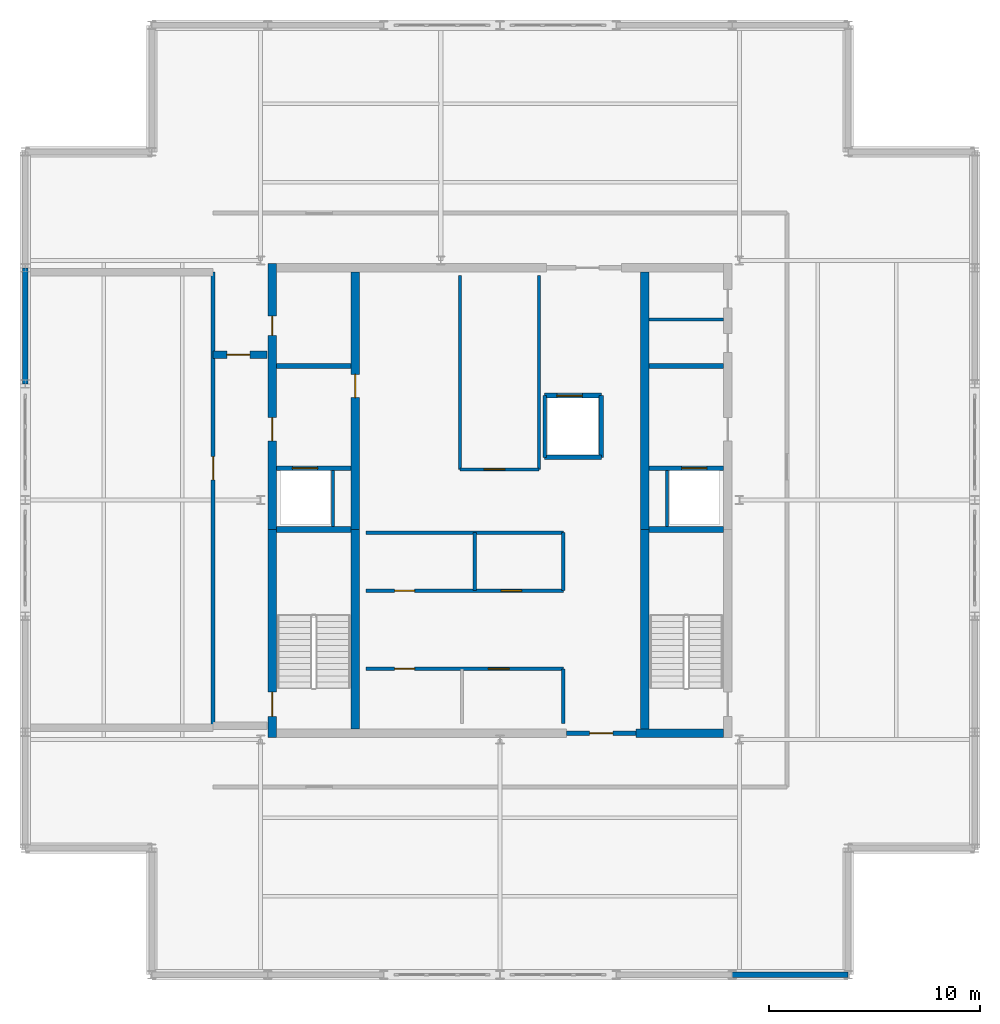
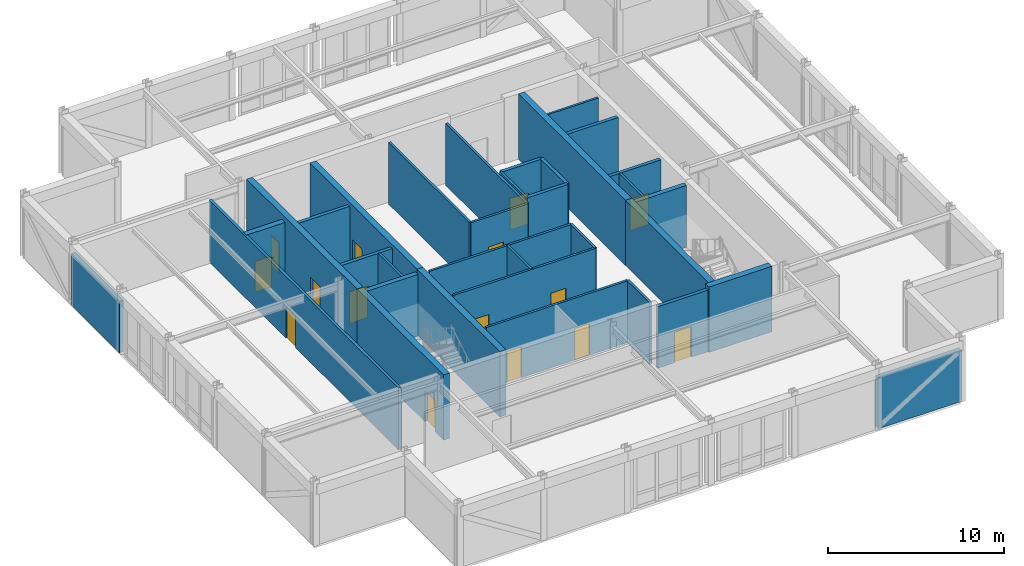
# One storey, part 7 of 9: 34 walls, 15 doors, 15 openings.
"""IFC4 building model written with IfcOpenShell, lengths in metres."""

import ifcopenshell
import ifcopenshell.guid

model = None  # the IFC model being written
_history = None  # IfcOwnerHistory: only IFC2X3 demands one
_inside = {}  # id of a spatial element -> (the spatial element, [elements in it])
_under = {}  # id of a project, library or spatial element -> (it, [spatial elements below it])
_declared = {}  # id of a project -> (the project, [libraries it declares])
_typed = {}  # id of a type object -> (the type object, [elements of that type])
_made_of = {}  # id of a material, layer set ... -> (it, [elements and type objects made of it])


def new_model(schema):
    """Start an empty IFC model of exactly this schema.

    Asked for "IFC4X3", IfcOpenShell would pick the latest addendum, in which some entities
    have other attributes; the version numbers below select the first issue.
    IFC2X3 requires an IfcOwnerHistory on every rooted entity: one is made here for all.
    """
    global model, _history
    if schema == "IFC4X3":
        model = ifcopenshell.file(schema_version=(4, 3, 0, 0))
    else:
        model = ifcopenshell.file(schema=schema)
    _inside.clear()
    _under.clear()
    _declared.clear()
    _typed.clear()
    _made_of.clear()
    _history = None
    if model.schema == "IFC2X3":
        org = make("IfcOrganization", Name="unknown")
        user = make(
            "IfcPersonAndOrganization",
            ThePerson=make("IfcPerson", FamilyName="unknown"),
            TheOrganization=org,
        )
        app = make(
            "IfcApplication",
            ApplicationDeveloper=org,
            Version="unknown",
            ApplicationFullName="unknown",
            ApplicationIdentifier="unknown",
        )
        _history = make(
            "IfcOwnerHistory",
            OwningUser=user,
            OwningApplication=app,
            ChangeAction="ADDED",
            CreationDate=0,
        )
    return model


def make(cls, **values):
    """One entity of the class cls with the attributes given. An attribute that is None is left unset."""
    return model.create_entity(
        cls, **{name: value for name, value in values.items() if value is not None}
    )


def rooted(cls, **values):
    """An entity with a GlobalId (a new one), such as an element, a storey or a relation."""
    return make(cls, GlobalId=ifcopenshell.guid.new(), OwnerHistory=_history, **values)


def si_unit(unit_type, name, prefix=None):
    """IfcSIUnit, for example si_unit("LENGTHUNIT", "METRE", prefix="MILLI")."""
    return make("IfcSIUnit", UnitType=unit_type, Prefix=prefix, Name=name)


def assignment(units):
    """IfcUnitAssignment: the units of a project."""
    return None if units is None else make("IfcUnitAssignment", Units=units)


def point(xyz):
    """IfcCartesianPoint."""
    return None if xyz is None else make("IfcCartesianPoint", Coordinates=xyz)


def direction(xyz):
    """IfcDirection."""
    return None if xyz is None else make("IfcDirection", DirectionRatios=xyz)


def frame(location, z_axis=None, x_axis=None):
    """IfcAxis2Placement3D, a coordinate frame: its origin and axes. An axis left out is left unset."""
    return make(
        "IfcAxis2Placement3D",
        Location=point(location),
        Axis=direction(z_axis),
        RefDirection=direction(x_axis),
    )


def frame_2d(location, x_axis=None):
    """IfcAxis2Placement2D, a coordinate frame in the plane: its origin and x axis."""
    return make(
        "IfcAxis2Placement2D", Location=point(location), RefDirection=direction(x_axis)
    )


def origin():
    """The frame at (0, 0, 0) with its axes left unset."""
    return frame((0.0, 0.0, 0.0))


def place(relative_to, where):
    """IfcLocalPlacement: puts the frame where relative to a parent placement (None: the world)."""
    return make(
        "IfcLocalPlacement", PlacementRelTo=relative_to, RelativePlacement=where
    )


def context(
    kind, dimensions, precision=None, world=None, true_north=None, identifier=None
):
    """IfcGeometricRepresentationContext, for example the 3D "Model" context."""
    return make(
        "IfcGeometricRepresentationContext",
        ContextIdentifier=identifier,
        ContextType=kind,
        CoordinateSpaceDimension=dimensions,
        Precision=precision,
        WorldCoordinateSystem=world,
        TrueNorth=true_north,
    )


def subcontext(parent, identifier, kind, view, scale=None):
    """IfcGeometricRepresentationSubContext, for example "Body" below "Model"."""
    return make(
        "IfcGeometricRepresentationSubContext",
        ContextIdentifier=identifier,
        ContextType=kind,
        ParentContext=parent,
        TargetScale=scale,
        TargetView=view,
    )


def project(units=None, contexts=None):
    """IfcProject with its units and contexts."""
    return rooted(
        "IfcProject",
        Name="project",
        RepresentationContexts=contexts,
        UnitsInContext=assignment(units),
    )


def spatial(cls, under=None, at=None, **own):
    """A site, building, storey or space (cls), placed at a placement, below another one or the project."""
    s = rooted(cls, ObjectPlacement=at, **own)
    if under is not None:
        _under.setdefault(under.id(), (under, []))[1].append(s)
    return s


def profile(cls, at=None, kind="AREA", **sizes):
    """A parametric profile (cls). Its sizes go by their IFC names, for example OverallWidth=200.0."""
    return make(cls, ProfileType=kind, Position=at, **sizes)


def rectangle(**sizes):
    """IfcRectangleProfileDef."""
    return profile("IfcRectangleProfileDef", **sizes)


def extrude(swept, where, along, depth):
    """IfcExtrudedAreaSolid: the profile swept, set in the frame where, extruded along a direction by depth."""
    return make(
        "IfcExtrudedAreaSolid",
        SweptArea=swept,
        Position=where,
        ExtrudedDirection=direction(along),
        Depth=depth,
    )


def shape(context_of_items, identifier, shape_type, items):
    """IfcShapeRepresentation: the items that make up one representation, for example the "Body"."""
    return make(
        "IfcShapeRepresentation",
        ContextOfItems=context_of_items,
        RepresentationIdentifier=identifier,
        RepresentationType=shape_type,
        Items=items,
    )


def material(Name=None, Category=None):
    """IfcMaterial."""
    return make("IfcMaterial", Name=Name, Category=Category)


def layer(
    of_material, thickness, ventilated=None, Name=None, Category=None, Priority=None
):
    """IfcMaterialLayer: one layer of a wall or slab, of a material (None: an air gap)."""
    return make(
        "IfcMaterialLayer",
        Material=of_material,
        LayerThickness=thickness,
        IsVentilated=ventilated,
        Name=Name,
        Category=Category,
        Priority=Priority,
    )


def layer_set(layers, Name=None):
    """IfcMaterialLayerSet."""
    return make("IfcMaterialLayerSet", MaterialLayers=layers, LayerSetName=Name)


def made_of(thing, what):
    """Note that an element or type object is made of a material, layer set ...; save() writes the relation."""
    if what is not None:
        _made_of.setdefault(what.id(), (what, []))[1].append(thing)
    return thing


def type_object(cls, material=None, **own):
    """A type object (cls), such as IfcWallType, which elements share."""
    return made_of(rooted(cls, **own), material)


def element(
    cls,
    number,
    at=None,
    inside=None,
    cuts=None,
    type_object=None,
    material=None,
    context=None,
    identifier="Body",
    shape_type=None,
    held_by="IfcProductDefinitionShape",
    body=None,
    shapes=None,
    **own,
):
    """One element of the class cls, such as IfcWall. Its Tag is "e" and its number.

    at: its placement. inside: the storey or other place that contains it. cuts: it is an
    opening in that element (IfcRelVoidsElement). A single representation is given by context,
    identifier, shape_type and body (its items); several are given by shapes. held_by: the class
    of the entity that holds the representations. save() writes the other relations.
    """
    e = rooted(cls, Tag="e%d" % number, ObjectPlacement=at, **own)
    if body is not None:
        shapes = [shape(context, identifier, shape_type, body)]
    if shapes is not None:
        e.Representation = make(held_by, Representations=shapes)
    if inside is not None:
        _inside.setdefault(inside.id(), (inside, []))[1].append(e)
    if cuts is not None:
        rooted(
            "IfcRelVoidsElement", RelatingBuildingElement=cuts, RelatedOpeningElement=e
        )
    if type_object is not None:
        _typed.setdefault(type_object.id(), (type_object, []))[1].append(e)
    return made_of(e, material)


def fill(opening, filler):
    """IfcRelFillsElement: the door or window that sits in an opening."""
    return rooted(
        "IfcRelFillsElement",
        RelatingOpeningElement=opening,
        RelatedBuildingElement=filler,
    )


def aggregate(whole, parts):
    """IfcRelAggregates: a whole, such as a stair, and the parts it consists of."""
    return rooted("IfcRelAggregates", RelatingObject=whole, RelatedObjects=parts)


def save(model, path):
    """Write the relations noted so far, then the file.

    IfcRelAggregates (storeys below a building ...), IfcRelContainedInSpatialStructure (elements
    in a storey), IfcRelDefinesByType, IfcRelAssociatesMaterial and IfcRelDeclares: one each for
    every whole, place, type object, material and project.
    """
    for whole, parts in _under.values():
        aggregate(whole, parts)
    for where, things in _inside.values():
        rooted(
            "IfcRelContainedInSpatialStructure",
            RelatedElements=things,
            RelatingStructure=where,
        )
    for kind, things in _typed.values():
        rooted("IfcRelDefinesByType", RelatedObjects=things, RelatingType=kind)
    for what, things in _made_of.values():
        rooted("IfcRelAssociatesMaterial", RelatedObjects=things, RelatingMaterial=what)
    for by, libraries in _declared.values():
        rooted("IfcRelDeclares", RelatingContext=by, RelatedDefinitions=libraries)
    model.write(path)


model = new_model("IFC4")

# Units and contexts
model_context = context("Model", 3, precision=1e-05, world=origin(), true_north=direction((0.0, 1.0)))
body_context = subcontext(model_context, "Body", "Model", "MODEL_VIEW")
ifc_project = project(units=[si_unit("LENGTHUNIT", "METRE"), si_unit("AREAUNIT", "SQUARE_METRE"), si_unit("VOLUMEUNIT", "CUBIC_METRE"), si_unit("PLANEANGLEUNIT", "RADIAN"), si_unit("MASSUNIT", "GRAM", prefix="KILO")], contexts=[model_context])

# Site, building, storey
site_placement = place(None, origin())
site = spatial("IfcSite", under=ifc_project, at=site_placement, CompositionType="ELEMENT")
building_placement = place(site_placement, origin())
building = spatial("IfcBuilding", under=site, at=building_placement, Name="Nhamokura Convention Tower", CompositionType="ELEMENT")
storey_placement = place(building_placement, frame((0.0, 0.0, 322.35009765625)))
storey = spatial("IfcBuildingStorey", under=building, at=storey_placement, Name="L79", CompositionType="ELEMENT", Elevation=322.35009765625)

# Walls
ifc_material_1 = material(Name="Moisture-resistant tile-backer partition", Category="masonry")
ifc_layer_1 = layer(ifc_material_1, 0.139892578125)
ifc_layer_set_1 = layer_set([ifc_layer_1], Name="BathroomWetWall_140")
wall_type_1 = type_object("IfcWallType", Name="BathroomWetWall_140", PredefinedType="STANDARD", material=ifc_layer_set_1)
wall_1_placement = place(storey_placement, frame((39.06005859375, 40.550048828125, 0.0), z_axis=(0.0, 0.0, 1.0), x_axis=(1.0, 0.0, 0.0)))
element("IfcWall", 1, at=wall_1_placement, inside=storey, type_object=wall_type_1, Name="L79 Wall INT-L79-CWNE", PredefinedType="STANDARD", context=body_context, shape_type="SweptSolid", body=[
    extrude(rectangle(XDim=3.530029296875, YDim=0.139892578125, at=frame_2d((1.76513671875, 0.0))), origin(), (0.0, 0.0, 1.0), 4.289794921875),
])
ifc_material_2 = material(Name="Bronze-pigmented precast concrete C45/55", Category="concrete")
ifc_layer_2 = layer(ifc_material_2, 0.280029296875)
ifc_layer_set_2 = layer_set([ifc_layer_2], Name="BronzePrecastSpandrel_280")
wall_type_2 = type_object("IfcWallType", Name="BronzePrecastSpandrel_280", PredefinedType="USERDEFINED", material=ifc_layer_set_2)
for number, where, z_axis, x_axis, name in (
    (2, (48.5, 9.5, 0.0), (0.0, 0.0, 1.0), (-1.0, 0.0, 0.0), "L79 Crown Wall SOUTH 5"),
    (3, (9.5, 37.5, 0.0), (0.0, 0.0, 1.0), (0.0, 1.0, 0.0), "L79 Crown Wall WEST 4"),
):
    element("IfcWall", number, at=place(storey_placement, frame(where, z_axis=z_axis, x_axis=x_axis)), inside=storey, type_object=wall_type_2, Name=name, ObjectType="SPANDREL_WALL", PredefinedType="USERDEFINED", context=body_context, shape_type="SweptSolid", body=[
        extrude(rectangle(XDim=5.5, YDim=0.280029296875, at=frame_2d((2.75, 0.0))), origin(), (0.0, 0.0, 1.0), 3.56982421875),
    ])

# Wall, opening, door
ifc_material_3 = material(Name="Concrete C50/60", Category="concrete")
ifc_layer_3 = layer(ifc_material_3, 0.39990234375)
ifc_layer_set_3 = layer_set([ifc_layer_3], Name="CoreShearWall_400")
wall_type_3 = type_object("IfcWallType", Name="CoreShearWall_400", PredefinedType="SHEAR", material=ifc_layer_set_3)
wall_2_placement = place(storey_placement, frame((21.2099609375, 20.75, 0.0), z_axis=(0.0, 0.0, 1.0), x_axis=(0.0, 1.0, 0.0)))
wall_2 = element("IfcWall", 4, at=wall_2_placement, inside=storey, type_object=wall_type_3, Name="L79 Core Shear Wall CW-WS", PredefinedType="SHEAR", context=body_context, shape_type="SweptSolid", body=[
    extrude(rectangle(XDim=9.85009765625, YDim=0.39990234375, at=frame_2d((4.925048828125, 0.0))), origin(), (0.0, 0.0, 1.0), 4.5498046875),
])
opening_1_placement = place(wall_2_placement, frame((1.0, 0.0, 0.0)))
opening_1 = element("IfcOpeningElement", 5, at=opening_1_placement, cuts=wall_2, Name="Opening D-04", PredefinedType="OPENING", context=body_context, shape_type="SweptSolid", body=[
    extrude(rectangle(XDim=1.14990234375, YDim=2.14990234375, at=frame_2d((0.574951171875, 1.074951171875))), frame((0.0, 0.2099609375, 0.0), z_axis=(0.0, -1.0, 0.0), x_axis=(1.0, 0.0, 0.0)), (0.0, 0.0, 1.0), 0.419921875),
])
ifc_material_4 = material(Name="Fire-rated steel door", Category="steel")
door_type_1 = type_object("IfcDoorType", Name="StairSmokeDoor_1150", OperationType="NOTDEFINED", PredefinedType="DOOR", material=ifc_material_4)
door_1_placement = place(opening_1_placement, origin())
door_1 = element("IfcDoor", 6, at=door_1_placement, inside=storey, type_object=door_type_1, Name="L79 Core Door INT-L79-D-ST01", OperationType="SINGLE_SWING_LEFT", OverallHeight=2.14990234375, OverallWidth=1.14990234375, PredefinedType="DOOR", context=body_context, shape_type="SweptSolid", body=[
    extrude(rectangle(XDim=1.14990234375, YDim=2.14990234375, at=frame_2d((0.574951171875, 1.074951171875))), frame((0.0, 0.02490234375, 0.0), z_axis=(0.0, -1.0, 0.0), x_axis=(1.0, 0.0, 0.0)), (0.0, 0.0, 1.0), 0.050048828125),
])
fill(opening_1, door_1)

# Wall, openings, doors
wall_3_placement = place(storey_placement, frame((21.2099609375, 30.60009765625, 0.0), z_axis=(0.0, 0.0, 1.0), x_axis=(0.0, 1.0, 0.0)))
wall_3 = element("IfcWall", 7, at=wall_3_placement, inside=storey, type_object=wall_type_3, Name="L79 Core Shear Wall CW-WN", PredefinedType="SHEAR", context=body_context, shape_type="SweptSolid", body=[
    extrude(rectangle(XDim=12.599853515625, YDim=0.39990234375, at=frame_2d((6.2998046875, 0.0))), origin(), (0.0, 0.0, 1.0), 4.5498046875),
])
opening_2_placement = place(wall_3_placement, frame((4.199951171875, 0.0, 0.0)))
opening_2 = element("IfcOpeningElement", 8, at=opening_2_placement, cuts=wall_3, Name="Opening D-05", PredefinedType="OPENING", context=body_context, shape_type="SweptSolid", body=[
    extrude(rectangle(XDim=1.10009765625, YDim=2.14990234375, at=frame_2d((0.550048828125, 1.074951171875))), frame((0.0, 0.2099609375, 0.0), z_axis=(0.0, -1.0, 0.0), x_axis=(1.0, 0.0, 0.0)), (0.0, 0.0, 1.0), 0.419921875),
])
opening_3_placement = place(wall_3_placement, frame((9.199951171875, 0.0, 0.0)))
opening_3 = element("IfcOpeningElement", 9, at=opening_3_placement, cuts=wall_3, Name="Opening D-10", PredefinedType="OPENING", context=body_context, shape_type="SweptSolid", body=[
    extrude(rectangle(XDim=0.919921875, YDim=2.10009765625, at=frame_2d((0.4599609375, 1.050048828125))), frame((0.0, 0.2099609375, 0.0), z_axis=(0.0, -1.0, 0.0), x_axis=(1.0, 0.0, 0.0)), (0.0, 0.0, 1.0), 0.419921875),
])
ifc_material_5 = material(Name="Solid oak hardwood", Category="wood")
door_type_2 = type_object("IfcDoorType", Name="AccessibleWCDoor_920", OperationType="NOTDEFINED", PredefinedType="DOOR", material=ifc_material_5)
door_2_placement = place(opening_3_placement, origin())
door_2 = element("IfcDoor", 10, at=door_2_placement, inside=storey, type_object=door_type_2, Name="L79 Core Door INT-L79-D-AWC", OperationType="SINGLE_SWING_LEFT", OverallHeight=2.10009765625, OverallWidth=0.919921875, PredefinedType="DOOR", context=body_context, shape_type="SweptSolid", body=[
    extrude(rectangle(XDim=0.919921875, YDim=2.10009765625, at=frame_2d((0.4599609375, 1.050048828125))), frame((0.0, 0.02490234375, 0.0), z_axis=(0.0, -1.0, 0.0), x_axis=(1.0, 0.0, 0.0)), (0.0, 0.0, 1.0), 0.050048828125),
])
fill(opening_3, door_2)
ifc_material_6 = material(Name="Fire-rated steel door", Category="steel")
door_type_3 = type_object("IfcDoorType", Name="FireLobbyDoor_1100", OperationType="NOTDEFINED", PredefinedType="DOOR", material=ifc_material_6)
door_3_placement = place(opening_2_placement, origin())
door_3 = element("IfcDoor", 11, at=door_3_placement, inside=storey, type_object=door_type_3, Name="L79 Core Door INT-L79-D-FFLW", OperationType="SINGLE_SWING_RIGHT", OverallHeight=2.14990234375, OverallWidth=1.10009765625, PredefinedType="DOOR", context=body_context, shape_type="SweptSolid", body=[
    extrude(rectangle(XDim=1.10009765625, YDim=2.14990234375, at=frame_2d((0.550048828125, 1.074951171875))), frame((0.0, 0.02490234375, 0.0), z_axis=(0.0, -1.0, 0.0), x_axis=(1.0, 0.0, 0.0)), (0.0, 0.0, 1.0), 0.050048828125),
])
fill(opening_2, door_3)

# Walls
wall_4_placement = place(storey_placement, frame((38.449951171875, 20.949951171875, 0.0), z_axis=(0.0, 0.0, 1.0), x_axis=(1.0, 0.0, 0.0)))
element("IfcWall", 12, at=wall_4_placement, inside=storey, type_object=wall_type_3, Name="L79 Core Shear Wall CW-S2", PredefinedType="SHEAR", context=body_context, shape_type="SweptSolid", body=[
    extrude(rectangle(XDim=4.14013671875, YDim=0.39990234375, at=frame_2d((2.070068359375, 0.0))), origin(), (0.0, 0.0, 1.0), 4.5498046875),
])
wall_5_placement = place(storey_placement, frame((25.139892578125, 21.14990234375, 0.0), z_axis=(0.0, 0.0, 1.0), x_axis=(0.0, 1.0, 0.0)))
element("IfcWall", 13, at=wall_5_placement, inside=storey, type_object=wall_type_3, Name="L79 Core Shear Wall CW-IWS", PredefinedType="SHEAR", context=body_context, shape_type="SweptSolid", body=[
    extrude(rectangle(XDim=9.4501953125, YDim=0.39990234375, at=frame_2d((4.72509765625, 0.0))), origin(), (0.0, 0.0, 1.0), 4.5498046875),
])

# Wall, opening, door
wall_6_placement = place(storey_placement, frame((25.139892578125, 30.60009765625, 0.0), z_axis=(0.0, 0.0, 1.0), x_axis=(0.0, 1.0, 0.0)))
wall_6 = element("IfcWall", 14, at=wall_6_placement, inside=storey, type_object=wall_type_3, Name="L79 Core Shear Wall CW-IWN", PredefinedType="SHEAR", context=body_context, shape_type="SweptSolid", body=[
    extrude(rectangle(XDim=12.199951171875, YDim=0.39990234375, at=frame_2d((6.10009765625, 0.0))), origin(), (0.0, 0.0, 1.0), 4.5498046875),
])
opening_4_placement = place(wall_6_placement, frame((6.25, 0.0, 0.0)))
opening_4 = element("IfcOpeningElement", 15, at=opening_4_placement, cuts=wall_6, Name="Opening D-05", PredefinedType="OPENING", context=body_context, shape_type="SweptSolid", body=[
    extrude(rectangle(XDim=1.10009765625, YDim=2.14990234375, at=frame_2d((0.550048828125, 1.074951171875))), frame((0.0, 0.2099609375, 0.0), z_axis=(0.0, -1.0, 0.0), x_axis=(1.0, 0.0, 0.0)), (0.0, 0.0, 1.0), 0.419921875),
])
door_4_placement = place(opening_4_placement, origin())
door_4 = element("IfcDoor", 16, at=door_4_placement, inside=storey, type_object=door_type_3, Name="L79 Core Door INT-L79-D-B3LOB", OperationType="SINGLE_SWING_LEFT", OverallHeight=2.14990234375, OverallWidth=1.10009765625, PredefinedType="DOOR", context=body_context, shape_type="SweptSolid", body=[
    extrude(rectangle(XDim=1.10009765625, YDim=2.14990234375, at=frame_2d((0.550048828125, 1.074951171875))), frame((0.0, 0.02490234375, 0.0), z_axis=(0.0, -1.0, 0.0), x_axis=(1.0, 0.0, 0.0)), (0.0, 0.0, 1.0), 0.050048828125),
])
fill(opening_4, door_4)

# Walls
wall_7_placement = place(storey_placement, frame((38.860107421875, 21.14990234375, 0.0), z_axis=(0.0, 0.0, 1.0), x_axis=(0.0, 1.0, 0.0)))
element("IfcWall", 17, at=wall_7_placement, inside=storey, type_object=wall_type_3, Name="L79 Core Shear Wall CW-IES", PredefinedType="SHEAR", context=body_context, shape_type="SweptSolid", body=[
    extrude(rectangle(XDim=9.4501953125, YDim=0.39990234375, at=frame_2d((4.72509765625, 0.0))), origin(), (0.0, 0.0, 1.0), 4.5498046875),
])
wall_8_placement = place(storey_placement, frame((38.860107421875, 30.60009765625, 0.0), z_axis=(0.0, 0.0, 1.0), x_axis=(0.0, 1.0, 0.0)))
element("IfcWall", 18, at=wall_8_placement, inside=storey, type_object=wall_type_3, Name="L79 Core Shear Wall CW-IEN", PredefinedType="SHEAR", context=body_context, shape_type="SweptSolid", body=[
    extrude(rectangle(XDim=12.199951171875, YDim=0.39990234375, at=frame_2d((6.10009765625, 0.0))), origin(), (0.0, 0.0, 1.0), 4.5498046875),
])

# Wall, opening, door
ifc_material_7 = material(Name="Fire-rated gypsum and masonry partition", Category="masonry")
ifc_layer_4 = layer(ifc_material_7, 0.179931640625)
ifc_layer_set_4 = layer_set([ifc_layer_4], Name="CorridorRatedWall_180")
wall_type_4 = type_object("IfcWallType", Name="CorridorRatedWall_180", PredefinedType="STANDARD", material=ifc_layer_set_4)
wall_9_placement = place(storey_placement, frame((18.39990234375, 21.199951171875, 0.0), z_axis=(0.0, 0.0, 1.0), x_axis=(0.0, 1.0, 0.0)))
wall_9 = element("IfcWall", 19, at=wall_9_placement, inside=storey, type_object=wall_type_4, Name="L79 Wall INT-L79-CW-W00", PredefinedType="STANDARD", context=body_context, shape_type="SweptSolid", body=[
    extrude(rectangle(XDim=21.60009765625, YDim=0.179931640625, at=frame_2d((10.800048828125, 0.0))), origin(), (0.0, 0.0, 1.0), 4.289794921875),
])
opening_5_placement = place(wall_9_placement, frame((11.75, 0.0, 0.0)))
opening_5 = element("IfcOpeningElement", 20, at=opening_5_placement, cuts=wall_9, Name="Opening D-05", PredefinedType="OPENING", context=body_context, shape_type="SweptSolid", body=[
    extrude(rectangle(XDim=1.10009765625, YDim=2.14990234375, at=frame_2d((0.550048828125, 1.074951171875))), frame((0.0, 0.099853515625, 0.0), z_axis=(0.0, -1.0, 0.0), x_axis=(1.0, 0.0, 0.0)), (0.0, 0.0, 1.0), 0.199951171875),
])
door_5_placement = place(opening_5_placement, origin())
door_5 = element("IfcDoor", 21, at=door_5_placement, inside=storey, type_object=door_type_3, Name="L79 Glycol Heat-Recovery Plant W01 Door", OperationType="SINGLE_SWING_LEFT", OverallHeight=2.14990234375, OverallWidth=1.10009765625, PredefinedType="DOOR", context=body_context, shape_type="SweptSolid", body=[
    extrude(rectangle(XDim=1.10009765625, YDim=2.14990234375, at=frame_2d((0.550048828125, 1.074951171875))), frame((0.0, 0.02490234375, 0.0), z_axis=(0.0, -1.0, 0.0), x_axis=(1.0, 0.0, 0.0)), (0.0, 0.0, 1.0), 0.050048828125),
])
fill(opening_5, door_5)

ifc_material_8 = material(Name="Autoclaved concrete blockwork", Category="masonry")
ifc_layer_5 = layer(ifc_material_8, 0.219970703125)
ifc_layer_set_5 = layer_set([ifc_layer_5], Name="FireLobbyWall_220")
wall_type_5 = type_object("IfcWallType", Name="FireLobbyWall_220", PredefinedType="STANDARD", material=ifc_layer_set_5)
wall_10_placement = place(storey_placement, frame((21.409912109375, 33.5, 0.0), z_axis=(0.0, 0.0, 1.0), x_axis=(1.0, 0.0, 0.0)))
wall_10 = element("IfcWall", 22, at=wall_10_placement, inside=storey, type_object=wall_type_5, Name="L79 Wall INT-L79-FFW-S", PredefinedType="STANDARD", context=body_context, shape_type="SweptSolid", body=[
    extrude(rectangle(XDim=3.530029296875, YDim=0.219970703125, at=frame_2d((1.76513671875, 0.0))), origin(), (0.0, 0.0, 1.0), 4.289794921875),
])
opening_6_placement = place(wall_10_placement, frame((0.75, 0.0, 0.0)))
opening_6 = element("IfcOpeningElement", 23, at=opening_6_placement, cuts=wall_10, Name="Opening LD-02", PredefinedType="OPENING", context=body_context, shape_type="SweptSolid", body=[
    extrude(rectangle(XDim=1.199951171875, YDim=2.199951171875, at=frame_2d((0.60009765625, 1.10009765625))), frame((0.0, 0.119873046875, 0.0), z_axis=(0.0, -1.0, 0.0), x_axis=(1.0, 0.0, 0.0)), (0.0, 0.0, 1.0), 0.239990234375),
])
ifc_material_9 = material(Name="Anodised bronze stainless steel", Category="steel")
door_type_4 = type_object("IfcDoorType", Name="LiftLandingDoor_FireService", OperationType="DOUBLE_DOOR_SLIDING", PredefinedType="DOOR", material=ifc_material_9)
door_6_placement = place(opening_6_placement, origin())
door_6 = element("IfcDoor", 24, at=door_6_placement, inside=storey, type_object=door_type_4, Name="L79 Firefighting Lift LF-01 Door", OperationType="DOUBLE_DOOR_SLIDING", OverallHeight=2.199951171875, OverallWidth=1.199951171875, PredefinedType="DOOR", context=body_context, shape_type="SweptSolid", body=[
    extrude(rectangle(XDim=1.199951171875, YDim=2.199951171875, at=frame_2d((0.60009765625, 1.10009765625))), frame((0.0, 0.02490234375, 0.0), z_axis=(0.0, -1.0, 0.0), x_axis=(1.0, 0.0, 0.0)), (0.0, 0.0, 1.0), 0.050048828125),
])
fill(opening_6, door_6)

wall_11_placement = place(storey_placement, frame((39.06005859375, 33.5, 0.0), z_axis=(0.0, 0.0, 1.0), x_axis=(1.0, 0.0, 0.0)))
wall_11 = element("IfcWall", 25, at=wall_11_placement, inside=storey, type_object=wall_type_5, Name="L79 Wall INT-L79-FFE-S", PredefinedType="STANDARD", context=body_context, shape_type="SweptSolid", body=[
    extrude(rectangle(XDim=3.530029296875, YDim=0.219970703125, at=frame_2d((1.76513671875, 0.0))), origin(), (0.0, 0.0, 1.0), 4.289794921875),
])
opening_7_placement = place(wall_11_placement, frame((1.550048828125, 0.0, 0.0)))
opening_7 = element("IfcOpeningElement", 26, at=opening_7_placement, cuts=wall_11, Name="Opening LD-02", PredefinedType="OPENING", context=body_context, shape_type="SweptSolid", body=[
    extrude(rectangle(XDim=1.199951171875, YDim=2.199951171875, at=frame_2d((0.60009765625, 1.10009765625))), frame((0.0, 0.119873046875, 0.0), z_axis=(0.0, -1.0, 0.0), x_axis=(1.0, 0.0, 0.0)), (0.0, 0.0, 1.0), 0.239990234375),
])
door_7_placement = place(opening_7_placement, origin())
door_7 = element("IfcDoor", 27, at=door_7_placement, inside=storey, type_object=door_type_4, Name="L79 Firefighting Lift LF-02 Door", OperationType="DOUBLE_DOOR_SLIDING", OverallHeight=2.199951171875, OverallWidth=1.199951171875, PredefinedType="DOOR", context=body_context, shape_type="SweptSolid", body=[
    extrude(rectangle(XDim=1.199951171875, YDim=2.199951171875, at=frame_2d((0.60009765625, 1.10009765625))), frame((0.0, 0.02490234375, 0.0), z_axis=(0.0, -1.0, 0.0), x_axis=(1.0, 0.0, 0.0)), (0.0, 0.0, 1.0), 0.050048828125),
])
fill(opening_7, door_7)

# Walls
for number, where, z_axis, x_axis, name in (
    (28, (21.409912109375, 38.35009765625, 0.0), (0.0, 0.0, 1.0), (1.0, 0.0, 0.0), "L79 Wall INT-L79-FFW-N"),
    (29, (39.06005859375, 38.35009765625, 0.0), (0.0, 0.0, 1.0), (1.0, 0.0, 0.0), "L79 Wall INT-L79-FFE-N"),
):
    element("IfcWall", number, at=place(storey_placement, frame(where, z_axis=z_axis, x_axis=x_axis)), inside=storey, type_object=wall_type_5, Name=name, PredefinedType="STANDARD", context=body_context, shape_type="SweptSolid", body=[
        extrude(rectangle(XDim=3.530029296875, YDim=0.219970703125, at=frame_2d((1.76513671875, 0.0))), origin(), (0.0, 0.0, 1.0), 4.289794921875),
    ])

# Wall, opening, door
wall_12_placement = place(storey_placement, frame((35.14990234375, 20.949951171875, 0.0), z_axis=(0.0, 0.0, 1.0), x_axis=(1.0, 0.0, 0.0)))
wall_12 = element("IfcWall", 30, at=wall_12_placement, inside=storey, type_object=wall_type_5, Name="L79 Wall INT-L79-SPORT-S", PredefinedType="STANDARD", context=body_context, shape_type="SweptSolid", body=[
    extrude(rectangle(XDim=3.300048828125, YDim=0.219970703125, at=frame_2d((1.64990234375, 0.0))), origin(), (0.0, 0.0, 1.0), 4.289794921875),
])
opening_8_placement = place(wall_12_placement, frame((1.10009765625, 0.0, 0.0)))
opening_8 = element("IfcOpeningElement", 31, at=opening_8_placement, cuts=wall_12, Name="Opening D-05", PredefinedType="OPENING", context=body_context, shape_type="SweptSolid", body=[
    extrude(rectangle(XDim=1.10009765625, YDim=2.14990234375, at=frame_2d((0.550048828125, 1.074951171875))), frame((0.0, 0.119873046875, 0.0), z_axis=(0.0, -1.0, 0.0), x_axis=(1.0, 0.0, 0.0)), (0.0, 0.0, 1.0), 0.239990234375),
])
door_8_placement = place(opening_8_placement, origin())
door_8 = element("IfcDoor", 32, at=door_8_placement, inside=storey, type_object=door_type_3, Name="L79 South Core Lobby Portal Door", OperationType="SINGLE_SWING_LEFT", OverallHeight=2.14990234375, OverallWidth=1.10009765625, PredefinedType="DOOR", context=body_context, shape_type="SweptSolid", body=[
    extrude(rectangle(XDim=1.10009765625, YDim=2.14990234375, at=frame_2d((0.550048828125, 1.074951171875))), frame((0.0, 0.02490234375, 0.0), z_axis=(0.0, -1.0, 0.0), x_axis=(1.0, 0.0, 0.0)), (0.0, 0.0, 1.0), 0.050048828125),
])
fill(opening_8, door_8)

wall_13_placement = place(storey_placement, frame((34.1201171875, 36.949951171875, 0.0), z_axis=(0.0, 0.0, 1.0), x_axis=(1.0, 0.0, 0.0)))
wall_13 = element("IfcWall", 33, at=wall_13_placement, inside=storey, type_object=wall_type_5, Name="L79 Wall INT-L79-LSN", PredefinedType="STANDARD", context=body_context, shape_type="SweptSolid", body=[
    extrude(rectangle(XDim=2.679931640625, YDim=0.219970703125, at=frame_2d((1.33984375, 0.0))), origin(), (0.0, 0.0, 1.0), 4.289794921875),
])
opening_9_placement = place(wall_13_placement, frame((0.580078125, 0.0, 0.0)))
opening_9 = element("IfcOpeningElement", 34, at=opening_9_placement, cuts=wall_13, Name="Opening LD-02", PredefinedType="OPENING", context=body_context, shape_type="SweptSolid", body=[
    extrude(rectangle(XDim=1.199951171875, YDim=2.199951171875, at=frame_2d((0.60009765625, 1.10009765625))), frame((0.0, 0.119873046875, 0.0), z_axis=(0.0, -1.0, 0.0), x_axis=(1.0, 0.0, 0.0)), (0.0, 0.0, 1.0), 0.239990234375),
])
door_9_placement = place(opening_9_placement, origin())
door_9 = element("IfcDoor", 35, at=door_9_placement, inside=storey, type_object=door_type_4, Name="L79 Service Lift LS-01 Door", OperationType="DOUBLE_DOOR_SLIDING", OverallHeight=2.199951171875, OverallWidth=1.199951171875, PredefinedType="DOOR", context=body_context, shape_type="SweptSolid", body=[
    extrude(rectangle(XDim=1.199951171875, YDim=2.199951171875, at=frame_2d((0.60009765625, 1.10009765625))), frame((0.0, 0.02490234375, 0.0), z_axis=(0.0, -1.0, 0.0), x_axis=(1.0, 0.0, 0.0)), (0.0, 0.0, 1.0), 0.050048828125),
])
fill(opening_9, door_9)

# Walls
wall_14_placement = place(storey_placement, frame((36.800048828125, 34.02001953125, 0.0), z_axis=(0.0, 0.0, 1.0), x_axis=(0.0, 1.0, 0.0)))
element("IfcWall", 36, at=wall_14_placement, inside=storey, type_object=wall_type_5, Name="L79 Wall INT-L79-LSE", PredefinedType="STANDARD", context=body_context, shape_type="SweptSolid", body=[
    extrude(rectangle(XDim=2.929931640625, YDim=0.219970703125, at=frame_2d((1.46484375, 0.0))), origin(), (0.0, 0.0, 1.0), 4.289794921875),
])
wall_15_placement = place(storey_placement, frame((34.1201171875, 34.02001953125, 0.0), z_axis=(0.0, 0.0, 1.0), x_axis=(1.0, 0.0, 0.0)))
element("IfcWall", 37, at=wall_15_placement, inside=storey, type_object=wall_type_5, Name="L79 Wall INT-L79-LSS", PredefinedType="STANDARD", context=body_context, shape_type="SweptSolid", body=[
    extrude(rectangle(XDim=2.679931640625, YDim=0.219970703125, at=frame_2d((1.33984375, 0.0))), origin(), (0.0, 0.0, 1.0), 4.289794921875),
])

# Wall, opening, door
ifc_material_10 = material(Name="Concrete C50/60", Category="concrete")
ifc_layer_6 = layer(ifc_material_10, 0.35009765625)
ifc_layer_set_6 = layer_set([ifc_layer_6], Name="FirewallPlant_350")
wall_type_6 = type_object("IfcWallType", Name="FirewallPlant_350", PredefinedType="STANDARD", material=ifc_layer_set_6)
wall_16_placement = place(storey_placement, frame((18.39990234375, 38.8798828125, 0.0), z_axis=(0.0, 0.0, 1.0), x_axis=(1.0, 0.0, 0.0)))
wall_16 = element("IfcWall", 38, at=wall_16_placement, inside=storey, type_object=wall_type_6, Name="L79 Wall INT-L79-RLOB-N", PredefinedType="STANDARD", context=body_context, shape_type="SweptSolid", body=[
    extrude(rectangle(XDim=2.550048828125, YDim=0.35009765625, at=frame_2d((1.27490234375, 0.0))), origin(), (0.0, 0.0, 1.0), 4.289794921875),
])
opening_10_placement = place(wall_16_placement, frame((0.64990234375, 0.0, 0.0)))
opening_10 = element("IfcOpeningElement", 39, at=opening_10_placement, cuts=wall_16, Name="Opening D-05", PredefinedType="OPENING", context=body_context, shape_type="SweptSolid", body=[
    extrude(rectangle(XDim=1.10009765625, YDim=2.14990234375, at=frame_2d((0.550048828125, 1.074951171875))), frame((0.0, 0.18505859375, 0.0), z_axis=(0.0, -1.0, 0.0), x_axis=(1.0, 0.0, 0.0)), (0.0, 0.0, 1.0), 0.3701171875),
])
door_10_placement = place(opening_10_placement, origin())
door_10 = element("IfcDoor", 40, at=door_10_placement, inside=storey, type_object=door_type_3, Name="L79 Refuge Lobby North Door", OperationType="SINGLE_SWING_RIGHT", OverallHeight=2.14990234375, OverallWidth=1.10009765625, PredefinedType="DOOR", context=body_context, shape_type="SweptSolid", body=[
    extrude(rectangle(XDim=1.10009765625, YDim=2.14990234375, at=frame_2d((0.550048828125, 1.074951171875))), frame((0.0, 0.02490234375, 0.0), z_axis=(0.0, -1.0, 0.0), x_axis=(1.0, 0.0, 0.0)), (0.0, 0.0, 1.0), 0.050048828125),
])
fill(opening_10, door_10)

# Walls
ifc_material_11 = material(Name="Acoustic gypsum stud partition", Category="masonry")
ifc_layer_7 = layer(ifc_material_11, 0.14990234375)
ifc_layer_set_7 = layer_set([ifc_layer_7], Name="InteriorPartition_150")
wall_type_7 = type_object("IfcWallType", Name="InteriorPartition_150", PredefinedType="STANDARD", material=ifc_layer_set_7)
for number, where, z_axis, x_axis, name in (
    (41, (24.080078125, 30.75, 0.0), (0.0, 0.0, 1.0), (0.0, 1.0, 0.0), "L79 Wall INT-L79-FF1-E"),
    (42, (39.919921875, 30.75, 0.0), (0.0, 0.0, 1.0), (0.0, 1.0, 0.0), "L79 Wall INT-L79-FF2-W"),
):
    element("IfcWall", number, at=place(storey_placement, frame(where, z_axis=z_axis, x_axis=x_axis)), inside=storey, type_object=wall_type_7, Name=name, PredefinedType="STANDARD", context=body_context, shape_type="SweptSolid", body=[
        extrude(rectangle(XDim=2.64990234375, YDim=0.14990234375, at=frame_2d((1.324951171875, 0.0))), origin(), (0.0, 0.0, 1.0), 4.289794921875),
    ])

# Wall, openings, doors
wall_17_placement = place(storey_placement, frame((25.64990234375, 24.0, 0.0), z_axis=(0.0, 0.0, 1.0), x_axis=(1.0, 0.0, 0.0)))
wall_17 = element("IfcWall", 43, at=wall_17_placement, inside=storey, type_object=wall_type_7, Name="L79 Wall INT-L79-B1R-N", PredefinedType="STANDARD", context=body_context, shape_type="SweptSolid", body=[
    extrude(rectangle(XDim=9.35009765625, YDim=0.14990234375, at=frame_2d((4.675048828125, 0.0))), origin(), (0.0, 0.0, 1.0), 4.289794921875),
])
opening_11_placement = place(wall_17_placement, frame((1.35009765625, 0.0, 0.0)))
opening_11 = element("IfcOpeningElement", 44, at=opening_11_placement, cuts=wall_17, Name="Opening D-09", PredefinedType="OPENING", context=body_context, shape_type="SweptSolid", body=[
    extrude(rectangle(XDim=0.949951171875, YDim=2.14990234375, at=frame_2d((0.47509765625, 1.074951171875))), frame((0.0, 0.0849609375, 0.0), z_axis=(0.0, -1.0, 0.0), x_axis=(1.0, 0.0, 0.0)), (0.0, 0.0, 1.0), 0.169921875),
])
opening_12_placement = place(wall_17_placement, frame((5.800048828125, 0.0, 0.0)))
opening_12 = element("IfcOpeningElement", 45, at=opening_12_placement, cuts=wall_17, Name="Opening D-08", PredefinedType="OPENING", context=body_context, shape_type="SweptSolid", body=[
    extrude(rectangle(XDim=0.97998046875, YDim=2.199951171875, at=frame_2d((0.489990234375, 1.10009765625))), frame((0.0, 0.0849609375, 0.0), z_axis=(0.0, -1.0, 0.0), x_axis=(1.0, 0.0, 0.0)), (0.0, 0.0, 1.0), 0.169921875),
])
ifc_material_12 = material(Name="Solid oak hardwood", Category="wood")
door_type_5 = type_object("IfcDoorType", Name="MeetingRoomDoor_950", OperationType="NOTDEFINED", PredefinedType="DOOR", material=ifc_material_12)
door_11_placement = place(opening_11_placement, origin())
door_11 = element("IfcDoor", 46, at=door_11_placement, inside=storey, type_object=door_type_5, Name="L79 Reclaimed Briefing Room Door", OperationType="SINGLE_SWING_RIGHT", OverallHeight=2.14990234375, OverallWidth=0.949951171875, PredefinedType="DOOR", context=body_context, shape_type="SweptSolid", body=[
    extrude(rectangle(XDim=0.949951171875, YDim=2.14990234375, at=frame_2d((0.47509765625, 1.074951171875))), frame((0.0, 0.02490234375, 0.0), z_axis=(0.0, -1.0, 0.0), x_axis=(1.0, 0.0, 0.0)), (0.0, 0.0, 1.0), 0.050048828125),
])
fill(opening_11, door_11)
ifc_material_13 = material(Name="Solid oak hardwood", Category="wood")
door_type_6 = type_object("IfcDoorType", Name="OfficeEntryDoor_980", OperationType="NOTDEFINED", PredefinedType="DOOR", material=ifc_material_13)
door_12_placement = place(opening_12_placement, origin())
door_12 = element("IfcDoor", 47, at=door_12_placement, inside=storey, type_object=door_type_6, Name="L79 Reclaimed Hub Door", OperationType="SINGLE_SWING_LEFT", OverallHeight=2.199951171875, OverallWidth=0.97998046875, PredefinedType="DOOR", context=body_context, shape_type="SweptSolid", body=[
    extrude(rectangle(XDim=0.97998046875, YDim=2.199951171875, at=frame_2d((0.489990234375, 1.10009765625))), frame((0.0, 0.02490234375, 0.0), z_axis=(0.0, -1.0, 0.0), x_axis=(1.0, 0.0, 0.0)), (0.0, 0.0, 1.0), 0.050048828125),
])
fill(opening_12, door_12)

# Wall
wall_18_placement = place(storey_placement, frame((35.0, 21.39990234375, 0.0), z_axis=(0.0, 0.0, 1.0), x_axis=(0.0, 1.0, 0.0)))
element("IfcWall", 48, at=wall_18_placement, inside=storey, type_object=wall_type_7, Name="L79 Wall INT-L79-B1R-E", PredefinedType="STANDARD", context=body_context, shape_type="SweptSolid", body=[
    extrude(rectangle(XDim=2.60009765625, YDim=0.14990234375, at=frame_2d((1.300048828125, 0.0))), origin(), (0.0, 0.0, 1.0), 4.289794921875),
])

# Wall, openings, doors
wall_19_placement = place(storey_placement, frame((25.64990234375, 27.699951171875, 0.0), z_axis=(0.0, 0.0, 1.0), x_axis=(1.0, 0.0, 0.0)))
wall_19 = element("IfcWall", 49, at=wall_19_placement, inside=storey, type_object=wall_type_7, Name="L79 Wall INT-L79-B2R-S", PredefinedType="STANDARD", context=body_context, shape_type="SweptSolid", body=[
    extrude(rectangle(XDim=9.35009765625, YDim=0.14990234375, at=frame_2d((4.675048828125, 0.0))), origin(), (0.0, 0.0, 1.0), 4.289794921875),
])
opening_13_placement = place(wall_19_placement, frame((1.35009765625, 0.0, 0.0)))
opening_13 = element("IfcOpeningElement", 50, at=opening_13_placement, cuts=wall_19, Name="Opening D-09", PredefinedType="OPENING", context=body_context, shape_type="SweptSolid", body=[
    extrude(rectangle(XDim=0.949951171875, YDim=2.14990234375, at=frame_2d((0.47509765625, 1.074951171875))), frame((0.0, 0.0849609375, 0.0), z_axis=(0.0, -1.0, 0.0), x_axis=(1.0, 0.0, 0.0)), (0.0, 0.0, 1.0), 0.169921875),
])
opening_14_placement = place(wall_19_placement, frame((6.39990234375, 0.0, 0.0)))
opening_14 = element("IfcOpeningElement", 51, at=opening_14_placement, cuts=wall_19, Name="Opening D-08", PredefinedType="OPENING", context=body_context, shape_type="SweptSolid", body=[
    extrude(rectangle(XDim=0.97998046875, YDim=2.199951171875, at=frame_2d((0.489990234375, 1.10009765625))), frame((0.0, 0.0849609375, 0.0), z_axis=(0.0, -1.0, 0.0), x_axis=(1.0, 0.0, 0.0)), (0.0, 0.0, 1.0), 0.169921875),
])
door_13_placement = place(opening_13_placement, origin())
door_13 = element("IfcDoor", 52, at=door_13_placement, inside=storey, type_object=door_type_5, Name="L79 Caucus Suite Door", OperationType="SINGLE_SWING_RIGHT", OverallHeight=2.14990234375, OverallWidth=0.949951171875, PredefinedType="DOOR", context=body_context, shape_type="SweptSolid", body=[
    extrude(rectangle(XDim=0.949951171875, YDim=2.14990234375, at=frame_2d((0.47509765625, 1.074951171875))), frame((0.0, 0.02490234375, 0.0), z_axis=(0.0, -1.0, 0.0), x_axis=(1.0, 0.0, 0.0)), (0.0, 0.0, 1.0), 0.050048828125),
])
fill(opening_13, door_13)
door_14_placement = place(opening_14_placement, origin())
door_14 = element("IfcDoor", 53, at=door_14_placement, inside=storey, type_object=door_type_6, Name="L79 Summit Pantry Door", OperationType="SINGLE_SWING_LEFT", OverallHeight=2.199951171875, OverallWidth=0.97998046875, PredefinedType="DOOR", context=body_context, shape_type="SweptSolid", body=[
    extrude(rectangle(XDim=0.97998046875, YDim=2.199951171875, at=frame_2d((0.489990234375, 1.10009765625))), frame((0.0, 0.02490234375, 0.0), z_axis=(0.0, -1.0, 0.0), x_axis=(1.0, 0.0, 0.0)), (0.0, 0.0, 1.0), 0.050048828125),
])
fill(opening_14, door_14)

# Walls
wall_20_placement = place(storey_placement, frame((25.64990234375, 30.449951171875, 0.0), z_axis=(0.0, 0.0, 1.0), x_axis=(1.0, 0.0, 0.0)))
element("IfcWall", 54, at=wall_20_placement, inside=storey, type_object=wall_type_7, Name="L79 Wall INT-L79-B2R-N", PredefinedType="STANDARD", context=body_context, shape_type="SweptSolid", body=[
    extrude(rectangle(XDim=9.35009765625, YDim=0.14990234375, at=frame_2d((4.675048828125, 0.0))), origin(), (0.0, 0.0, 1.0), 4.289794921875),
])
for number, where, z_axis, x_axis, name in (
    (55, (30.800048828125, 27.699951171875, 0.0), (0.0, 0.0, 1.0), (0.0, 1.0, 0.0), "L79 Wall INT-L79-B2R-M"),
    (56, (35.0, 27.699951171875, 0.0), (0.0, 0.0, 1.0), (0.0, 1.0, 0.0), "L79 Wall INT-L79-B2R-E"),
):
    element("IfcWall", number, at=place(storey_placement, frame(where, z_axis=z_axis, x_axis=x_axis)), inside=storey, type_object=wall_type_7, Name=name, PredefinedType="STANDARD", context=body_context, shape_type="SweptSolid", body=[
        extrude(rectangle(XDim=2.75, YDim=0.14990234375, at=frame_2d((1.375, 0.0))), origin(), (0.0, 0.0, 1.0), 4.289794921875),
    ])
for number, where, z_axis, x_axis, name in (
    (57, (30.10009765625, 33.449951171875, 0.0), (0.0, 0.0, 1.0), (0.0, 1.0, 0.0), "L79 Wall INT-L79-ST03W"),
    (58, (33.85009765625, 33.449951171875, 0.0), (0.0, 0.0, 1.0), (0.0, 1.0, 0.0), "L79 Wall INT-L79-ST03E"),
):
    element("IfcWall", number, at=place(storey_placement, frame(where, z_axis=z_axis, x_axis=x_axis)), inside=storey, type_object=wall_type_7, Name=name, PredefinedType="STANDARD", context=body_context, shape_type="SweptSolid", body=[
        extrude(rectangle(XDim=9.199951171875, YDim=0.14990234375, at=frame_2d((4.60009765625, 0.0))), origin(), (0.0, 0.0, 1.0), 4.289794921875),
    ])

# Wall, opening, door
wall_21_placement = place(storey_placement, frame((30.10009765625, 33.449951171875, 0.0), z_axis=(0.0, 0.0, 1.0), x_axis=(1.0, 0.0, 0.0)))
wall_21 = element("IfcWall", 59, at=wall_21_placement, inside=storey, type_object=wall_type_7, Name="L79 Wall INT-L79-ST03S", PredefinedType="STANDARD", context=body_context, shape_type="SweptSolid", body=[
    extrude(rectangle(XDim=3.75, YDim=0.14990234375, at=frame_2d((1.875, 0.0))), origin(), (0.0, 0.0, 1.0), 4.289794921875),
])
opening_15_placement = place(wall_21_placement, frame((1.14990234375, 0.0, 0.0)))
opening_15 = element("IfcOpeningElement", 60, at=opening_15_placement, cuts=wall_21, Name="Opening D-08", PredefinedType="OPENING", context=body_context, shape_type="SweptSolid", body=[
    extrude(rectangle(XDim=0.97998046875, YDim=2.199951171875, at=frame_2d((0.489990234375, 1.10009765625))), frame((0.0, 0.0849609375, 0.0), z_axis=(0.0, -1.0, 0.0), x_axis=(1.0, 0.0, 0.0)), (0.0, 0.0, 1.0), 0.169921875),
])
door_15_placement = place(opening_15_placement, origin())
door_15 = element("IfcDoor", 61, at=door_15_placement, inside=storey, type_object=door_type_6, Name="L79 Wellness and Records Room Door", OperationType="SINGLE_SWING_RIGHT", OverallHeight=2.199951171875, OverallWidth=0.97998046875, PredefinedType="DOOR", context=body_context, shape_type="SweptSolid", body=[
    extrude(rectangle(XDim=0.97998046875, YDim=2.199951171875, at=frame_2d((0.489990234375, 1.10009765625))), frame((0.0, 0.02490234375, 0.0), z_axis=(0.0, -1.0, 0.0), x_axis=(1.0, 0.0, 0.0)), (0.0, 0.0, 1.0), 0.050048828125),
])
fill(opening_15, door_15)

# Walls
wall_22_placement = place(storey_placement, frame((34.1201171875, 34.02001953125, 0.0), z_axis=(0.0, 0.0, 1.0), x_axis=(0.0, 1.0, 0.0)))
element("IfcWall", 62, at=wall_22_placement, inside=storey, type_object=wall_type_7, Name="L79 Wall INT-L79-LSW", PredefinedType="STANDARD", context=body_context, shape_type="SweptSolid", body=[
    extrude(rectangle(XDim=2.929931640625, YDim=0.14990234375, at=frame_2d((1.46484375, 0.0))), origin(), (0.0, 0.0, 1.0), 4.289794921875),
])
ifc_material_14 = material(Name="Concrete C50/60", Category="concrete")
ifc_layer_8 = layer(ifc_material_14, 0.300048828125)
ifc_layer_set_8 = layer_set([ifc_layer_8], Name="ShaftEnclosureWall_300")
wall_type_8 = type_object("IfcWallType", Name="ShaftEnclosureWall_300", PredefinedType="SHEAR", material=ifc_layer_set_8)
for number, where, z_axis, x_axis, name in (
    (63, (21.409912109375, 30.60009765625, 0.0), (0.0, 0.0, 1.0), (1.0, 0.0, 0.0), "L79 Wall INT-L79-ST01-N"),
    (64, (39.06005859375, 30.60009765625, 0.0), (0.0, 0.0, 1.0), (1.0, 0.0, 0.0), "L79 Wall INT-L79-ST02-N"),
):
    element("IfcWall", number, at=place(storey_placement, frame(where, z_axis=z_axis, x_axis=x_axis)), inside=storey, type_object=wall_type_8, Name=name, PredefinedType="SHEAR", context=body_context, shape_type="SweptSolid", body=[
        extrude(rectangle(XDim=3.530029296875, YDim=0.300048828125, at=frame_2d((1.76513671875, 0.0))), origin(), (0.0, 0.0, 1.0), 4.289794921875),
    ])

save(model, "model.ifc")
